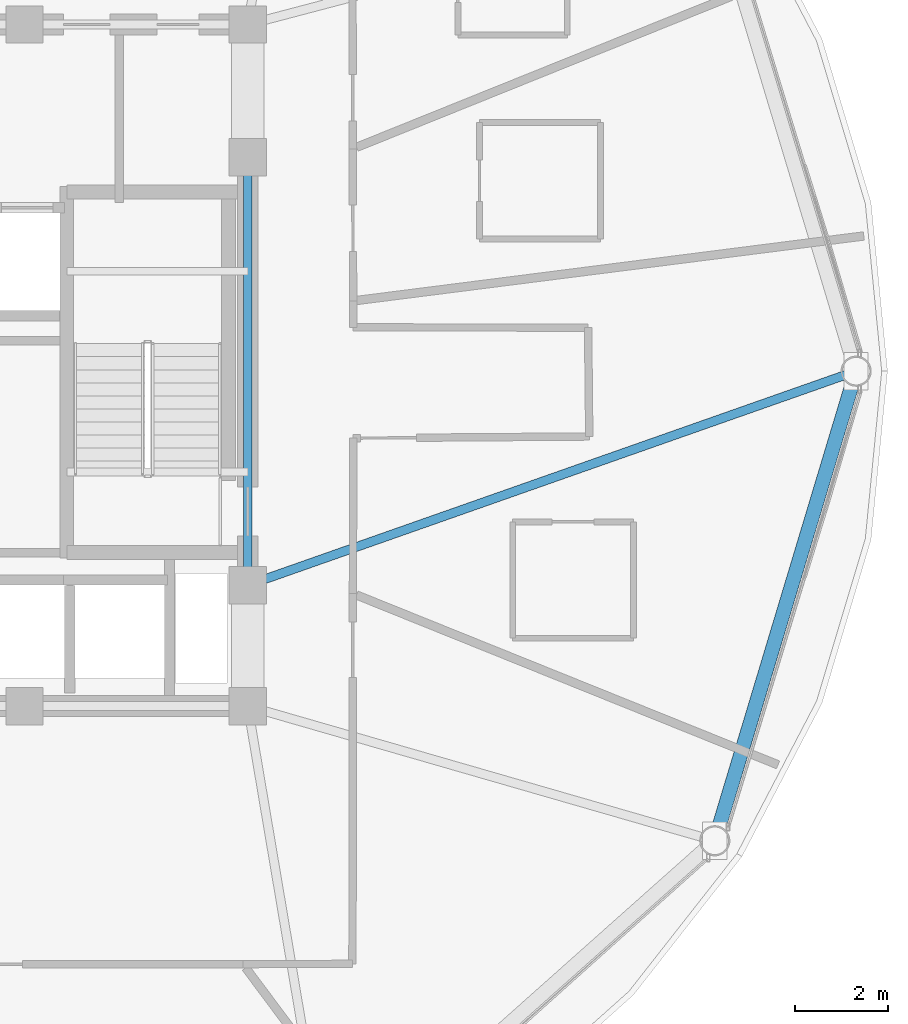
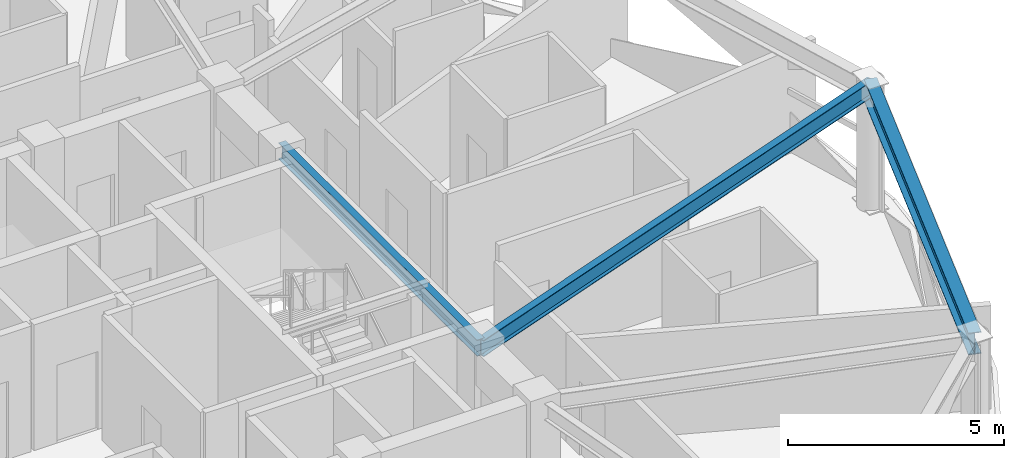
# One storey, part 13 of 30: 3 beams.
"""IFC4 building model written with IfcOpenShell, lengths in metres."""

import ifcopenshell
import ifcopenshell.guid

model = None  # the IFC model being written
_history = None  # IfcOwnerHistory: only IFC2X3 demands one
_inside = {}  # id of a spatial element -> (the spatial element, [elements in it])
_under = {}  # id of a project, library or spatial element -> (it, [spatial elements below it])
_declared = {}  # id of a project -> (the project, [libraries it declares])
_typed = {}  # id of a type object -> (the type object, [elements of that type])
_made_of = {}  # id of a material, layer set ... -> (it, [elements and type objects made of it])


def new_model(schema):
    """Start an empty IFC model of exactly this schema.

    Asked for "IFC4X3", IfcOpenShell would pick the latest addendum, in which some entities
    have other attributes; the version numbers below select the first issue.
    IFC2X3 requires an IfcOwnerHistory on every rooted entity: one is made here for all.
    """
    global model, _history
    if schema == "IFC4X3":
        model = ifcopenshell.file(schema_version=(4, 3, 0, 0))
    else:
        model = ifcopenshell.file(schema=schema)
    _inside.clear()
    _under.clear()
    _declared.clear()
    _typed.clear()
    _made_of.clear()
    _history = None
    if model.schema == "IFC2X3":
        org = make("IfcOrganization", Name="unknown")
        user = make(
            "IfcPersonAndOrganization",
            ThePerson=make("IfcPerson", FamilyName="unknown"),
            TheOrganization=org,
        )
        app = make(
            "IfcApplication",
            ApplicationDeveloper=org,
            Version="unknown",
            ApplicationFullName="unknown",
            ApplicationIdentifier="unknown",
        )
        _history = make(
            "IfcOwnerHistory",
            OwningUser=user,
            OwningApplication=app,
            ChangeAction="ADDED",
            CreationDate=0,
        )
    return model


def make(cls, **values):
    """One entity of the class cls with the attributes given. An attribute that is None is left unset."""
    return model.create_entity(
        cls, **{name: value for name, value in values.items() if value is not None}
    )


def rooted(cls, **values):
    """An entity with a GlobalId (a new one), such as an element, a storey or a relation."""
    return make(cls, GlobalId=ifcopenshell.guid.new(), OwnerHistory=_history, **values)


def si_unit(unit_type, name, prefix=None):
    """IfcSIUnit, for example si_unit("LENGTHUNIT", "METRE", prefix="MILLI")."""
    return make("IfcSIUnit", UnitType=unit_type, Prefix=prefix, Name=name)


def assignment(units):
    """IfcUnitAssignment: the units of a project."""
    return None if units is None else make("IfcUnitAssignment", Units=units)


def point(xyz):
    """IfcCartesianPoint."""
    return None if xyz is None else make("IfcCartesianPoint", Coordinates=xyz)


def direction(xyz):
    """IfcDirection."""
    return None if xyz is None else make("IfcDirection", DirectionRatios=xyz)


def frame(location, z_axis=None, x_axis=None):
    """IfcAxis2Placement3D, a coordinate frame: its origin and axes. An axis left out is left unset."""
    return make(
        "IfcAxis2Placement3D",
        Location=point(location),
        Axis=direction(z_axis),
        RefDirection=direction(x_axis),
    )


def frame_2d(location, x_axis=None):
    """IfcAxis2Placement2D, a coordinate frame in the plane: its origin and x axis."""
    return make(
        "IfcAxis2Placement2D", Location=point(location), RefDirection=direction(x_axis)
    )


def origin():
    """The frame at (0, 0, 0) with its axes left unset."""
    return frame((0.0, 0.0, 0.0))


def origin_2d():
    """The frame at (0, 0) in the plane with its x axis left unset."""
    return frame_2d((0.0, 0.0))


def place(relative_to, where):
    """IfcLocalPlacement: puts the frame where relative to a parent placement (None: the world)."""
    return make(
        "IfcLocalPlacement", PlacementRelTo=relative_to, RelativePlacement=where
    )


def context(
    kind, dimensions, precision=None, world=None, true_north=None, identifier=None
):
    """IfcGeometricRepresentationContext, for example the 3D "Model" context."""
    return make(
        "IfcGeometricRepresentationContext",
        ContextIdentifier=identifier,
        ContextType=kind,
        CoordinateSpaceDimension=dimensions,
        Precision=precision,
        WorldCoordinateSystem=world,
        TrueNorth=true_north,
    )


def subcontext(parent, identifier, kind, view, scale=None):
    """IfcGeometricRepresentationSubContext, for example "Body" below "Model"."""
    return make(
        "IfcGeometricRepresentationSubContext",
        ContextIdentifier=identifier,
        ContextType=kind,
        ParentContext=parent,
        TargetScale=scale,
        TargetView=view,
    )


def project(units=None, contexts=None):
    """IfcProject with its units and contexts."""
    return rooted(
        "IfcProject",
        Name="project",
        RepresentationContexts=contexts,
        UnitsInContext=assignment(units),
    )


def spatial(cls, under=None, at=None, **own):
    """A site, building, storey or space (cls), placed at a placement, below another one or the project."""
    s = rooted(cls, ObjectPlacement=at, **own)
    if under is not None:
        _under.setdefault(under.id(), (under, []))[1].append(s)
    return s


def profile(cls, at=None, kind="AREA", **sizes):
    """A parametric profile (cls). Its sizes go by their IFC names, for example OverallWidth=200.0."""
    return make(cls, ProfileType=kind, Position=at, **sizes)


def i_section(**sizes):
    """IfcIShapeProfileDef."""
    return profile("IfcIShapeProfileDef", **sizes)


def extrude(swept, where, along, depth):
    """IfcExtrudedAreaSolid: the profile swept, set in the frame where, extruded along a direction by depth."""
    return make(
        "IfcExtrudedAreaSolid",
        SweptArea=swept,
        Position=where,
        ExtrudedDirection=direction(along),
        Depth=depth,
    )


def shape(context_of_items, identifier, shape_type, items):
    """IfcShapeRepresentation: the items that make up one representation, for example the "Body"."""
    return make(
        "IfcShapeRepresentation",
        ContextOfItems=context_of_items,
        RepresentationIdentifier=identifier,
        RepresentationType=shape_type,
        Items=items,
    )


def material(Name=None, Category=None):
    """IfcMaterial."""
    return make("IfcMaterial", Name=Name, Category=Category)


def material_profile(
    of_material, cross_section, Name=None, Category=None, Priority=None
):
    """IfcMaterialProfile: a cross section and its material."""
    return make(
        "IfcMaterialProfile",
        Name=Name,
        Material=of_material,
        Profile=cross_section,
        Priority=Priority,
        Category=Category,
    )


def profile_set(profiles, Name=None, composite=None):
    """IfcMaterialProfileSet."""
    return make(
        "IfcMaterialProfileSet",
        Name=Name,
        MaterialProfiles=profiles,
        CompositeProfile=composite,
    )


def made_of(thing, what):
    """Note that an element or type object is made of a material, layer set ...; save() writes the relation."""
    if what is not None:
        _made_of.setdefault(what.id(), (what, []))[1].append(thing)
    return thing


def type_object(cls, material=None, **own):
    """A type object (cls), such as IfcWallType, which elements share."""
    return made_of(rooted(cls, **own), material)


def element(
    cls,
    number,
    at=None,
    inside=None,
    cuts=None,
    type_object=None,
    material=None,
    context=None,
    identifier="Body",
    shape_type=None,
    held_by="IfcProductDefinitionShape",
    body=None,
    shapes=None,
    **own,
):
    """One element of the class cls, such as IfcWall. Its Tag is "e" and its number.

    at: its placement. inside: the storey or other place that contains it. cuts: it is an
    opening in that element (IfcRelVoidsElement). A single representation is given by context,
    identifier, shape_type and body (its items); several are given by shapes. held_by: the class
    of the entity that holds the representations. save() writes the other relations.
    """
    e = rooted(cls, Tag="e%d" % number, ObjectPlacement=at, **own)
    if body is not None:
        shapes = [shape(context, identifier, shape_type, body)]
    if shapes is not None:
        e.Representation = make(held_by, Representations=shapes)
    if inside is not None:
        _inside.setdefault(inside.id(), (inside, []))[1].append(e)
    if cuts is not None:
        rooted(
            "IfcRelVoidsElement", RelatingBuildingElement=cuts, RelatedOpeningElement=e
        )
    if type_object is not None:
        _typed.setdefault(type_object.id(), (type_object, []))[1].append(e)
    return made_of(e, material)


def aggregate(whole, parts):
    """IfcRelAggregates: a whole, such as a stair, and the parts it consists of."""
    return rooted("IfcRelAggregates", RelatingObject=whole, RelatedObjects=parts)


def save(model, path):
    """Write the relations noted so far, then the file.

    IfcRelAggregates (storeys below a building ...), IfcRelContainedInSpatialStructure (elements
    in a storey), IfcRelDefinesByType, IfcRelAssociatesMaterial and IfcRelDeclares: one each for
    every whole, place, type object, material and project.
    """
    for whole, parts in _under.values():
        aggregate(whole, parts)
    for where, things in _inside.values():
        rooted(
            "IfcRelContainedInSpatialStructure",
            RelatedElements=things,
            RelatingStructure=where,
        )
    for kind, things in _typed.values():
        rooted("IfcRelDefinesByType", RelatedObjects=things, RelatingType=kind)
    for what, things in _made_of.values():
        rooted("IfcRelAssociatesMaterial", RelatedObjects=things, RelatingMaterial=what)
    for by, libraries in _declared.values():
        rooted("IfcRelDeclares", RelatingContext=by, RelatedDefinitions=libraries)
    model.write(path)


model = new_model("IFC4")

# Units and contexts
model_context = context("Model", 3, precision=1e-05, world=origin(), true_north=direction((0.0, 1.0)))
body_context = subcontext(model_context, "Body", "Model", "MODEL_VIEW")
ifc_project = project(units=[si_unit("LENGTHUNIT", "METRE"), si_unit("AREAUNIT", "SQUARE_METRE"), si_unit("VOLUMEUNIT", "CUBIC_METRE"), si_unit("PLANEANGLEUNIT", "RADIAN"), si_unit("MASSUNIT", "GRAM", prefix="KILO")], contexts=[model_context])

# Site, building, storey
site_placement = place(None, origin())
site = spatial("IfcSite", under=ifc_project, at=site_placement, CompositionType="ELEMENT")
building_placement = place(site_placement, origin())
building = spatial("IfcBuilding", under=site, at=building_placement, Name="Vantalir Tower", CompositionType="ELEMENT")
storey_placement = place(building_placement, frame((0.0, 0.0, 193.64990234375)))
storey = spatial("IfcBuildingStorey", under=building, at=storey_placement, Name="L48", CompositionType="ELEMENT", Elevation=193.64990234375)

# Beams
ifc_material_1 = material(Name="Steel S355", Category="steel")
ifc_material_profile_1 = material_profile(ifc_material_1, i_section(OverallWidth=0.19189453125, OverallDepth=0.462890625, WebThickness=0.010498046875, FlangeThickness=0.017578125, at=origin_2d()), Name="Steel S355")
ifc_profile_set_1 = profile_set([ifc_material_profile_1], Name="Steel S355")
beam_type_1 = type_object("IfcBeamType", Name="BM-RB-457x191", PredefinedType="BEAM", material=ifc_profile_set_1)
beam_1_placement = place(storey_placement, frame((41.10009765625, 20.39990234375, 3.338134765625), z_axis=(0.0, 1.0, 0.0), x_axis=(-1.0, 0.0, 0.0)))
element("IfcBeam", 1, at=beam_1_placement, inside=storey, type_object=beam_type_1, Name="L48 Core Coupling Girder 06", PredefinedType="BEAM", context=body_context, shape_type="SweptSolid", body=[
    extrude(i_section(OverallWidth=0.19189453125, OverallDepth=0.462890625, WebThickness=0.010498046875, FlangeThickness=0.017578125, at=origin_2d()), origin(), (0.0, 0.0, 1.0), 9.2001953125),
])
beam_2_placement = place(storey_placement, frame((54.176025390625, 25.0, 3.338134765625), z_axis=(-0.943328014031, -0.331861805492, 0.0), x_axis=(0.331861805492, -0.943328014031, 0.0)))
element("IfcBeam", 2, at=beam_2_placement, inside=storey, type_object=beam_type_1, Name="L48 Radial Floor Beam 01", PredefinedType="BEAM", context=body_context, shape_type="SweptSolid", body=[
    extrude(i_section(OverallWidth=0.19189453125, OverallDepth=0.462890625, WebThickness=0.010498046875, FlangeThickness=0.017578125, at=origin_2d()), origin(), (0.0, 0.0, 1.0), 13.861572265625),
])
ifc_material_2 = material(Name="Steel S460", Category="steel")
ifc_material_profile_2 = material_profile(ifc_material_2, i_section(OverallWidth=0.306884765625, OverallDepth=0.6201171875, WebThickness=0.01416015625, FlangeThickness=0.023681640625, at=origin_2d()), Name="Steel S460")
ifc_profile_set_2 = profile_set([ifc_material_profile_2], Name="Steel S460")
beam_type_2 = type_object("IfcBeamType", Name="BM-RG-610x305", PredefinedType="USERDEFINED", material=ifc_profile_set_2)
beam_3_placement = place(storey_placement, frame((51.137939453125, 14.906005859375, 3.260009765625), z_axis=(0.288208317462, 0.957567734286, 0.0), x_axis=(-0.957567734286, 0.288208317462, 0.0)))
element("IfcBeam", 3, at=beam_3_placement, inside=storey, type_object=beam_type_2, Name="L48 Circumferential Ring Girder 12", ObjectType="GIRDER", PredefinedType="USERDEFINED", context=body_context, shape_type="SweptSolid", body=[
    extrude(i_section(OverallWidth=0.306884765625, OverallDepth=0.6201171875, WebThickness=0.01416015625, FlangeThickness=0.023681640625, at=origin_2d()), origin(), (0.0, 0.0, 1.0), 10.541259765625),
])

save(model, "model.ifc")
